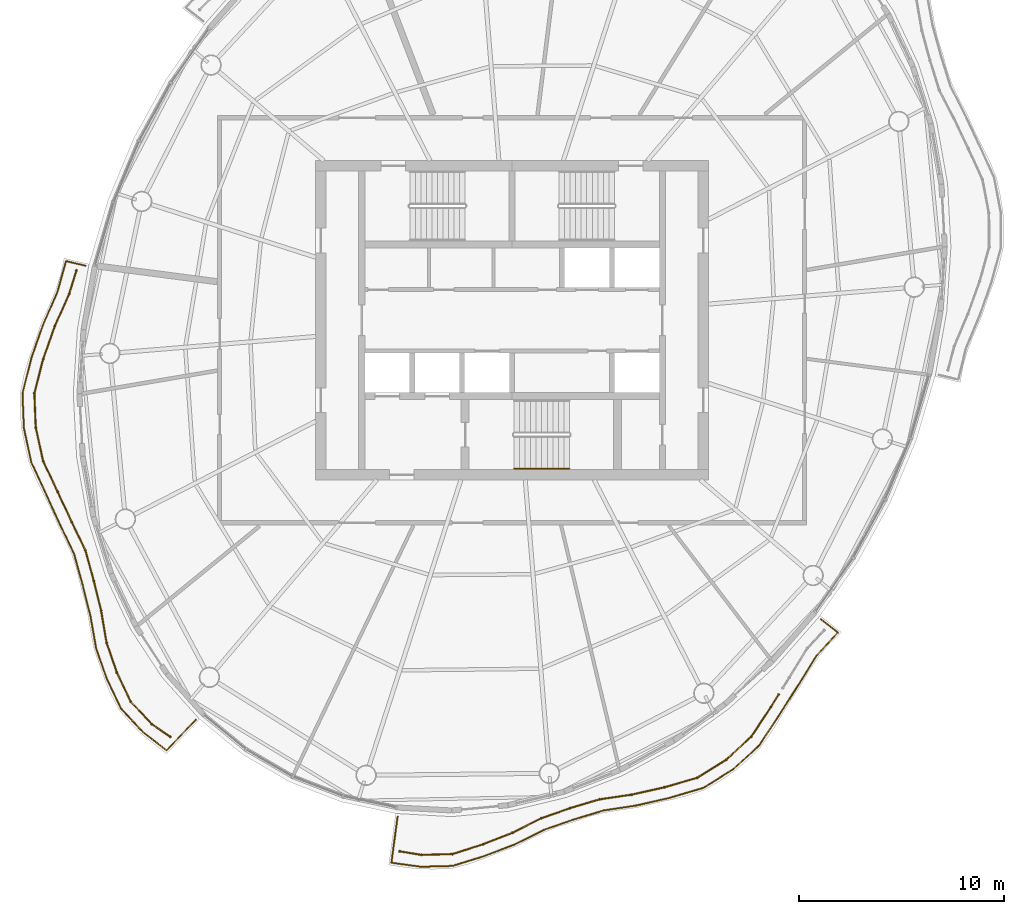
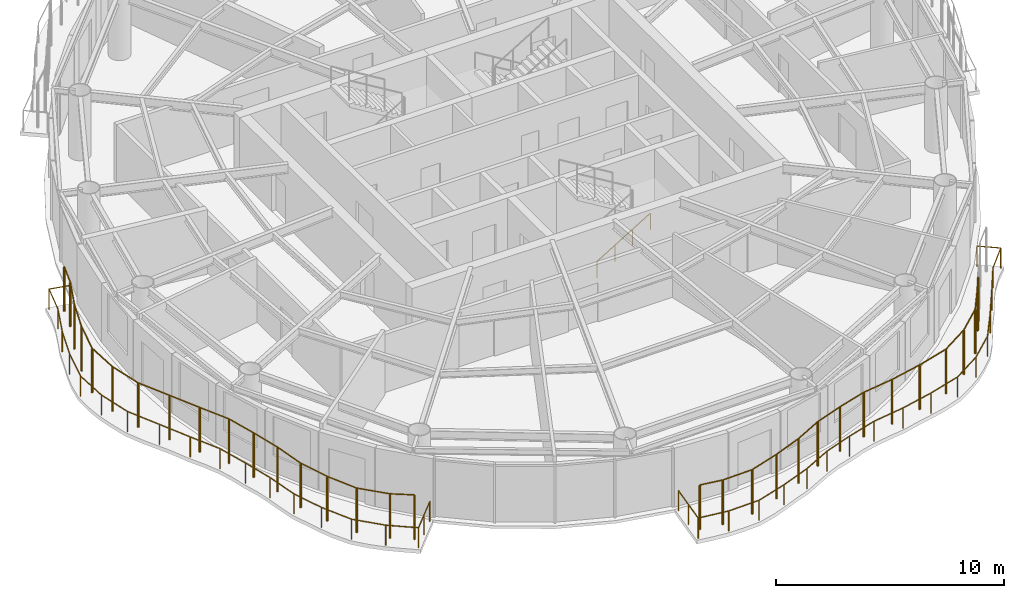
# One storey, part 11 of 13: 5 railings.
"""IFC4 building model written with IfcOpenShell, lengths in metres."""

from ifc_helpers import new_model, si_unit, direction, frame, origin, origin_2d, place, context, subcontext, project, spatial, circle, extrude, material, type_object, element, save


model = new_model("IFC4")

# Units and contexts
model_context = context("Model", 3, precision=1e-05, world=origin(), true_north=direction((0.0, 1.0)))
body_context = subcontext(model_context, "Body", "Model", "MODEL_VIEW")
ifc_project = project(units=[si_unit("LENGTHUNIT", "METRE"), si_unit("AREAUNIT", "SQUARE_METRE"), si_unit("VOLUMEUNIT", "CUBIC_METRE"), si_unit("PLANEANGLEUNIT", "RADIAN"), si_unit("MASSUNIT", "GRAM", prefix="KILO")], contexts=[model_context])

# Site, building, storey
site_placement = place(None, origin())
site = spatial("IfcSite", under=ifc_project, at=site_placement, CompositionType="ELEMENT")
building_placement = place(site_placement, origin())
building = spatial("IfcBuilding", under=site, at=building_placement, Name="Vermilion Reach Broadcast Tower", CompositionType="ELEMENT")
storey_placement = place(building_placement, frame((0.0, 0.0, 290.10009765625)))
storey = spatial("IfcBuildingStorey", under=building, at=storey_placement, Name="L72", CompositionType="ELEMENT", Elevation=290.10009765625)

# Railings
ifc_material_1 = material(Name="Terracotta baguette", Category="masonry")
railing_type_1 = type_object("IfcRailingType", Name="BAGUETTE SCREEN", PredefinedType="USERDEFINED", material=ifc_material_1)
railing_1_placement = place(storey_placement, frame((-27.30029296875, 2.43359375, 0.0)))
element("IfcRailing", 1, at=railing_1_placement, inside=storey, type_object=railing_type_1, Name="Baguette screen L72 group 2", ObjectType="BAGUETTE SCREEN", PredefinedType="USERDEFINED", context=body_context, shape_type="SweptSolid", body=[
    extrude(circle(Radius=0.030029296875, at=origin_2d()), frame((0.0, 0.0, 2.369873046875), z_axis=(-0.29681510805, -0.954934967227, 0.0), x_axis=(0.954934967227, -0.29681510805, 0.0)), (0.0, 0.0, 1.0), 1.2001953125),
    extrude(circle(Radius=0.030029296875, at=origin_2d()), frame((-0.356201171875, -1.14599609375, 2.369873046875), z_axis=(-0.405888700187, -0.913922514801, 0.0), x_axis=(0.913922514801, -0.405888700187, 0.0)), (0.0, 0.0, 1.0), 1.723388671875),
    extrude(circle(Radius=0.030029296875, at=origin_2d()), frame((-1.0556640625, -2.720947265625, 2.369873046875), z_axis=(-0.334593563046, -0.942362535104, 0.0), x_axis=(0.942362535104, -0.334593563046, 0.0)), (0.0, 0.0, 1.0), 1.713134765625),
    extrude(circle(Radius=0.030029296875, at=origin_2d()), frame((-1.62890625, -4.33544921875, 2.369873046875), z_axis=(-0.247391721287, -0.968915546494, 0.0), x_axis=(0.968915546494, -0.247391721287, 0.0)), (0.0, 0.0, 1.0), 1.72607421875),
    extrude(circle(Radius=0.030029296875, at=origin_2d()), frame((-2.055908203125, -6.0078125, 2.369873046875), z_axis=(0.039739643166, -0.999210068385, 0.0), x_axis=(0.999210068385, 0.039739643166, 0.0)), (0.0, 0.0, 1.0), 1.664794921875),
    extrude(circle(Radius=0.030029296875, at=origin_2d()), frame((-1.98974609375, -7.67138671875, 2.369873046875), z_axis=(0.214370018895, -0.976752524951, 0.0), x_axis=(0.976752524951, 0.214370018895, 0.0)), (0.0, 0.0, 1.0), 1.676513671875),
    extrude(circle(Radius=0.030029296875, at=origin_2d()), frame((-1.63037109375, -9.308837890625, 2.369873046875), z_axis=(0.426063493689, -0.904693262573, 0.0), x_axis=(0.904693262573, 0.426063493689, 0.0)), (0.0, 0.0, 1.0), 1.6767578125),
    extrude(circle(Radius=0.030029296875, at=origin_2d()), frame((-0.916015625, -10.82568359375, 2.369873046875), z_axis=(0.422498425925, -0.906363657751, 0.0), x_axis=(0.906363657751, 0.422498425925, 0.0)), (0.0, 0.0, 1.0), 1.623291015625),
    extrude(circle(Radius=0.030029296875, at=origin_2d()), frame((-0.230224609375, -12.296875, 2.369873046875), z_axis=(0.434280880705, -0.900777506743, 0.0), x_axis=(0.900777506743, 0.434280880705, 0.0)), (0.0, 0.0, 1.0), 1.5458984375),
    extrude(circle(Radius=0.030029296875, at=origin_2d()), frame((0.441162109375, -13.689453125, 2.369873046875), z_axis=(0.26474623824, -0.964318116255, 0.0), x_axis=(0.964318116255, 0.26474623824, 0.0)), (0.0, 0.0, 1.0), 1.521484375),
    extrude(circle(Radius=0.030029296875, at=origin_2d()), frame((0.843994140625, -15.15673828125, 2.369873046875), z_axis=(0.239684359985, -0.970850867836, 0.0), x_axis=(0.970850867836, 0.239684359985, 0.0)), (0.0, 0.0, 1.0), 1.511474609375),
    extrude(circle(Radius=0.030029296875, at=origin_2d()), frame((1.206298828125, -16.624267578125, 2.369873046875), z_axis=(0.166757532211, -0.985997933797, 0.0), x_axis=(0.985997933797, 0.166757532211, 0.0)), (0.0, 0.0, 1.0), 1.59423828125),
    extrude(circle(Radius=0.030029296875, at=origin_2d()), frame((1.47216796875, -18.1962890625, 2.369873046875), z_axis=(0.325762394425, -0.945451671096, 0.0), x_axis=(0.945451671096, 0.325762394425, 0.0)), (0.0, 0.0, 1.0), 1.549072265625),
    extrude(circle(Radius=0.030029296875, at=origin_2d()), frame((1.976806640625, -19.660888671875, 2.369873046875), z_axis=(0.429588291466, -0.903024861139, 0.0), x_axis=(0.903024861139, 0.429588291466, 0.0)), (0.0, 0.0, 1.0), 1.564453125),
    extrude(circle(Radius=0.030029296875, at=origin_2d()), frame((2.64892578125, -21.07373046875, 2.369873046875), z_axis=(0.684448094442, -0.729061592744, 0.0), x_axis=(0.729061592744, 0.684448094442, 0.0)), (0.0, 0.0, 1.0), 1.521240234375),
    extrude(circle(Radius=0.030029296875, at=origin_2d()), frame((3.690185546875, -22.182861328125, 2.369873046875), z_axis=(0.825660365212, -0.564167494028, 0.0), x_axis=(0.564167494028, 0.825660365212, 0.0)), (0.0, 0.0, 1.0), 1.0849609375),
    extrude(circle(Radius=0.050048828125, at=origin_2d()), origin(), (0.0, 0.0, 1.0), 2.33984375),
    extrude(circle(Radius=0.050048828125, at=origin_2d()), frame((-0.356201171875, -1.14599609375, 0.0)), (0.0, 0.0, 1.0), 2.33984375),
    extrude(circle(Radius=0.050048828125, at=origin_2d()), frame((-1.0556640625, -2.720947265625, 0.0)), (0.0, 0.0, 1.0), 2.33984375),
    extrude(circle(Radius=0.050048828125, at=origin_2d()), frame((-1.62890625, -4.33544921875, 0.0)), (0.0, 0.0, 1.0), 2.33984375),
    extrude(circle(Radius=0.050048828125, at=origin_2d()), frame((-2.055908203125, -6.0078125, 0.0)), (0.0, 0.0, 1.0), 2.33984375),
    extrude(circle(Radius=0.050048828125, at=origin_2d()), frame((-1.98974609375, -7.67138671875, 0.0)), (0.0, 0.0, 1.0), 2.33984375),
    extrude(circle(Radius=0.050048828125, at=origin_2d()), frame((-1.63037109375, -9.308837890625, 0.0)), (0.0, 0.0, 1.0), 2.33984375),
    extrude(circle(Radius=0.050048828125, at=origin_2d()), frame((-0.916015625, -10.82568359375, 0.0)), (0.0, 0.0, 1.0), 2.33984375),
    extrude(circle(Radius=0.050048828125, at=origin_2d()), frame((-0.230224609375, -12.296875, 0.0)), (0.0, 0.0, 1.0), 2.33984375),
    extrude(circle(Radius=0.050048828125, at=origin_2d()), frame((0.441162109375, -13.689453125, 0.0)), (0.0, 0.0, 1.0), 2.33984375),
    extrude(circle(Radius=0.050048828125, at=origin_2d()), frame((0.843994140625, -15.15673828125, 0.0)), (0.0, 0.0, 1.0), 2.33984375),
    extrude(circle(Radius=0.050048828125, at=origin_2d()), frame((1.206298828125, -16.624267578125, 0.0)), (0.0, 0.0, 1.0), 2.33984375),
    extrude(circle(Radius=0.050048828125, at=origin_2d()), frame((1.47216796875, -18.1962890625, 0.0)), (0.0, 0.0, 1.0), 2.33984375),
    extrude(circle(Radius=0.050048828125, at=origin_2d()), frame((1.976806640625, -19.660888671875, 0.0)), (0.0, 0.0, 1.0), 2.33984375),
    extrude(circle(Radius=0.050048828125, at=origin_2d()), frame((2.64892578125, -21.07373046875, 0.0)), (0.0, 0.0, 1.0), 2.33984375),
    extrude(circle(Radius=0.050048828125, at=origin_2d()), frame((3.690185546875, -22.182861328125, 0.0)), (0.0, 0.0, 1.0), 2.33984375),
    extrude(circle(Radius=0.050048828125, at=origin_2d()), frame((4.5859375, -22.794921875, 0.0)), (0.0, 0.0, 1.0), 2.33984375),
])
railing_2_placement = place(storey_placement, frame((-11.492919921875, -25.96337890625, 0.0)))
element("IfcRailing", 2, at=railing_2_placement, inside=storey, type_object=railing_type_1, Name="Baguette screen L72 group 3 part 1", ObjectType="BAGUETTE SCREEN", PredefinedType="USERDEFINED", context=body_context, shape_type="SweptSolid", body=[
    extrude(circle(Radius=0.030029296875, at=origin_2d()), frame((0.0, 0.0, 2.369873046875), z_axis=(0.986753829313, -0.162224783359, 0.0), x_axis=(0.162224783359, 0.986753829313, 0.0)), (0.0, 0.0, 1.0), 1.074462890625),
    extrude(circle(Radius=0.030029296875, at=origin_2d()), frame((1.060302734375, -0.17431640625, 2.369873046875), z_axis=(0.999626111626, 0.02734295076, 0.0), x_axis=(-0.02734295076, 0.999626111626, 0.0)), (0.0, 0.0, 1.0), 1.517822265625),
    extrude(circle(Radius=0.030029296875, at=origin_2d()), frame((2.57763671875, -0.1328125, 2.369873046875), z_axis=(0.952449286025, 0.304697157108, 0.0), x_axis=(-0.304697157108, 0.952449286025, 0.0)), (0.0, 0.0, 1.0), 1.578369140625),
    extrude(circle(Radius=0.030029296875, at=origin_2d()), frame((4.0810546875, 0.34814453125, 2.369873046875), z_axis=(0.932275133539, 0.361750017809, 0.0), x_axis=(-0.361750017809, 0.932275133539, 0.0)), (0.0, 0.0, 1.0), 1.5400390625),
    extrude(circle(Radius=0.030029296875, at=origin_2d()), frame((5.516845703125, 0.9052734375, 2.369873046875), z_axis=(0.891242507502, 0.453527058534, 0.0), x_axis=(-0.453527058534, 0.891242507502, 0.0)), (0.0, 0.0, 1.0), 1.5595703125),
    extrude(circle(Radius=0.030029296875, at=origin_2d()), frame((6.90673828125, 1.612548828125, 2.369873046875), z_axis=(0.943707109671, 0.330782241297, 0.0), x_axis=(-0.330782241297, 0.943707109671, 0.0)), (0.0, 0.0, 1.0), 1.48583984375),
    extrude(circle(Radius=0.030029296875, at=origin_2d()), frame((8.308837890625, 2.10400390625, 2.369873046875), z_axis=(0.957729028053, 0.287671877015, 0.0), x_axis=(-0.287671877015, 0.957729028053, 0.0)), (0.0, 0.0, 1.0), 1.520751953125),
    extrude(circle(Radius=0.030029296875, at=origin_2d()), frame((9.765380859375, 2.54150390625, 2.369873046875), z_axis=(0.989510518927, 0.144460835292, 0.0), x_axis=(-0.144460835292, 0.989510518927, 0.0)), (0.0, 0.0, 1.0), 1.585205078125),
    extrude(circle(Radius=0.030029296875, at=origin_2d()), frame((11.333984375, 2.7705078125, 2.369873046875), z_axis=(0.975805391936, 0.218640886086, 0.0), x_axis=(-0.218640886086, 0.975805391936, 0.0)), (0.0, 0.0, 1.0), 1.64697265625),
    extrude(circle(Radius=0.030029296875, at=origin_2d()), frame((12.941162109375, 3.130615234375, 2.369873046875), z_axis=(0.960204571171, 0.27929765753, 0.0), x_axis=(-0.27929765753, 0.960204571171, 0.0)), (0.0, 0.0, 1.0), 1.668701171875),
    extrude(circle(Radius=0.030029296875, at=origin_2d()), frame((14.54345703125, 3.5966796875, 2.369873046875), z_axis=(0.848261124455, 0.529578195112, 0.0), x_axis=(-0.529578195112, 0.848261124455, 0.0)), (0.0, 0.0, 1.0), 1.66943359375),
    extrude(circle(Radius=0.030029296875, at=origin_2d()), frame((15.95947265625, 4.480712890625, 2.369873046875), z_axis=(0.737391088863, 0.675466048048, 0.0), x_axis=(-0.675466048048, 0.737391088863, 0.0)), (0.0, 0.0, 1.0), 1.667724609375),
    extrude(circle(Radius=0.030029296875, at=origin_2d()), frame((17.189208984375, 5.607177734375, 2.369873046875), z_axis=(0.550162293805, 0.835057752778, 0.0), x_axis=(-0.835057752778, 0.550162293805, 0.0)), (0.0, 0.0, 1.0), 1.7412109375),
    extrude(circle(Radius=0.030029296875, at=origin_2d()), frame((18.147216796875, 7.061279296875, 2.369873046875), z_axis=(0.529874576144, 0.848076018737, 0.0), x_axis=(-0.848076018737, 0.529874576144, 0.0)), (0.0, 0.0, 1.0), 0.705810546875),
    extrude(circle(Radius=0.050048828125, at=origin_2d()), origin(), (0.0, 0.0, 1.0), 2.33984375),
    extrude(circle(Radius=0.050048828125, at=origin_2d()), frame((1.060302734375, -0.17431640625, 0.0)), (0.0, 0.0, 1.0), 2.33984375),
    extrude(circle(Radius=0.050048828125, at=origin_2d()), frame((2.57763671875, -0.1328125, 0.0)), (0.0, 0.0, 1.0), 2.33984375),
    extrude(circle(Radius=0.050048828125, at=origin_2d()), frame((4.0810546875, 0.34814453125, 0.0)), (0.0, 0.0, 1.0), 2.33984375),
    extrude(circle(Radius=0.050048828125, at=origin_2d()), frame((5.516845703125, 0.9052734375, 0.0)), (0.0, 0.0, 1.0), 2.33984375),
    extrude(circle(Radius=0.050048828125, at=origin_2d()), frame((6.90673828125, 1.612548828125, 0.0)), (0.0, 0.0, 1.0), 2.33984375),
    extrude(circle(Radius=0.050048828125, at=origin_2d()), frame((8.308837890625, 2.10400390625, 0.0)), (0.0, 0.0, 1.0), 2.33984375),
    extrude(circle(Radius=0.050048828125, at=origin_2d()), frame((9.765380859375, 2.54150390625, 0.0)), (0.0, 0.0, 1.0), 2.33984375),
    extrude(circle(Radius=0.050048828125, at=origin_2d()), frame((11.333984375, 2.7705078125, 0.0)), (0.0, 0.0, 1.0), 2.33984375),
    extrude(circle(Radius=0.050048828125, at=origin_2d()), frame((12.941162109375, 3.130615234375, 0.0)), (0.0, 0.0, 1.0), 2.33984375),
    extrude(circle(Radius=0.050048828125, at=origin_2d()), frame((14.54345703125, 3.5966796875, 0.0)), (0.0, 0.0, 1.0), 2.33984375),
    extrude(circle(Radius=0.050048828125, at=origin_2d()), frame((15.95947265625, 4.480712890625, 0.0)), (0.0, 0.0, 1.0), 2.33984375),
    extrude(circle(Radius=0.050048828125, at=origin_2d()), frame((17.189208984375, 5.607177734375, 0.0)), (0.0, 0.0, 1.0), 2.33984375),
    extrude(circle(Radius=0.050048828125, at=origin_2d()), frame((18.147216796875, 7.061279296875, 0.0)), (0.0, 0.0, 1.0), 2.33984375),
    extrude(circle(Radius=0.050048828125, at=origin_2d()), frame((18.521240234375, 7.659912109375, 0.0)), (0.0, 0.0, 1.0), 2.33984375),
])
ifc_material_2 = material(Name="Stainless steel 316 balustrade", Category="steel")
railing_type_2 = type_object("IfcRailingType", Name="Balcony guard 1100", PredefinedType="BALUSTRADE", material=ifc_material_2)
railing_3_placement = place(storey_placement, frame((-26.850830078125, 2.666015625, 0.0)))
element("IfcRailing", 3, at=railing_3_placement, inside=storey, type_object=railing_type_2, Name="Balcony guard L72 group 2", PredefinedType="BALUSTRADE", context=body_context, shape_type="SweptSolid", body=[
    extrude(circle(Radius=0.02490234375, at=origin_2d()), frame((0.0, 0.0, 1.0751953125), z_axis=(-0.973217982798, 0.229884227295, 0.0), x_axis=(-0.229884227295, -0.973217982798, 0.0)), (0.0, 0.0, 1.0), 0.982421875),
    extrude(circle(Radius=0.02490234375, at=origin_2d()), frame((-0.9560546875, 0.225830078125, 1.0751953125), z_axis=(-0.269508013749, -0.962998146688, 0.0), x_axis=(0.962998146688, -0.269508013749, 0.0)), (0.0, 0.0, 1.0), 1.559814453125),
    extrude(circle(Radius=0.02490234375, at=origin_2d()), frame((-1.37646484375, -1.2763671875, 1.0751953125), z_axis=(-0.401344208936, -0.915927303859, 0.0), x_axis=(0.915927303859, -0.401344208936, 0.0)), (0.0, 0.0, 1.0), 1.7548828125),
    extrude(circle(Radius=0.02490234375, at=origin_2d()), frame((-2.080810546875, -2.8837890625, 1.0751953125), z_axis=(-0.330213305001, -0.943906337091, 0.0), x_axis=(0.943906337091, -0.330213305001, 0.0)), (0.0, 0.0, 1.0), 1.744873046875),
    extrude(circle(Radius=0.02490234375, at=origin_2d()), frame((-2.656982421875, -4.53076171875, 1.0751953125), z_axis=(-0.243547724216, -0.969888914273, 0.0), x_axis=(0.969888914273, -0.243547724216, 0.0)), (0.0, 0.0, 1.0), 1.75927734375),
    extrude(circle(Radius=0.02490234375, at=origin_2d()), frame((-3.08544921875, -6.237060546875, 1.0751953125), z_axis=(0.039526049856, -0.999218540352, 0.0), x_axis=(0.999218540352, 0.039526049856, 0.0)), (0.0, 0.0, 1.0), 1.698486328125),
    extrude(circle(Radius=0.02490234375, at=origin_2d()), frame((-3.018310546875, -7.934326171875, 1.0751953125), z_axis=(0.211671602185, -0.977340847826, 0.0), x_axis=(0.977340847826, 0.211671602185, 0.0)), (0.0, 0.0, 1.0), 1.711669921875),
    extrude(circle(Radius=0.02490234375, at=origin_2d()), frame((-2.656005859375, -9.607177734375, 1.0751953125), z_axis=(0.420587091743, -0.907252169057, 0.0), x_axis=(0.907252169057, 0.420587091743, 0.0)), (0.0, 0.0, 1.0), 1.710693359375),
    extrude(circle(Radius=0.02490234375, at=origin_2d()), frame((-1.9365234375, -11.1591796875, 1.0751953125), z_axis=(0.417900750248, -0.908492687335, 0.0), x_axis=(0.908492687335, 0.417900750248, 0.0)), (0.0, 0.0, 1.0), 1.6591796875),
    extrude(circle(Radius=0.02490234375, at=origin_2d()), frame((-1.2431640625, -12.66650390625, 1.0751953125), z_axis=(0.430538261012, -0.902572327188, 0.0), x_axis=(0.902572327188, 0.430538261012, 0.0)), (0.0, 0.0, 1.0), 1.582763671875),
    extrude(circle(Radius=0.02490234375, at=origin_2d()), frame((-0.561767578125, -14.094970703125, 1.0751953125), z_axis=(0.266385095677, -0.963866682068, 0.0), x_axis=(0.963866682068, 0.266385095677, 0.0)), (0.0, 0.0, 1.0), 1.560791015625),
    extrude(circle(Radius=0.02490234375, at=origin_2d()), frame((-0.14599609375, -15.599365234375, 1.0751953125), z_axis=(0.243795344766, -0.969826700947, 0.0), x_axis=(0.969826700947, 0.243795344766, 0.0)), (0.0, 0.0, 1.0), 1.55029296875),
    extrude(circle(Radius=0.02490234375, at=origin_2d()), frame((0.23193359375, -17.102783203125, 1.0751953125), z_axis=(0.174083680601, -0.984730862799, 0.0), x_axis=(0.984730862799, 0.174083680601, 0.0)), (0.0, 0.0, 1.0), 1.6337890625),
    extrude(circle(Radius=0.02490234375, at=origin_2d()), frame((0.516357421875, -18.711669921875, 1.0751953125), z_axis=(0.331027725228, -0.943621028342, 0.0), x_axis=(0.943621028342, 0.331027725228, 0.0)), (0.0, 0.0, 1.0), 1.58935546875),
    extrude(circle(Radius=0.02490234375, at=origin_2d()), frame((1.04248046875, -20.21142578125, 1.0751953125), z_axis=(0.43379735131, -0.901010464976, 0.0), x_axis=(0.901010464976, 0.43379735131, 0.0)), (0.0, 0.0, 1.0), 1.607421875),
    extrude(circle(Radius=0.02490234375, at=origin_2d()), frame((1.73974609375, -21.65966796875, 1.0751953125), z_axis=(0.683146388706, -0.730281460533, 0.0), x_axis=(0.730281460533, 0.683146388706, 0.0)), (0.0, 0.0, 1.0), 1.564208984375),
    extrude(circle(Radius=0.02490234375, at=origin_2d()), frame((2.808349609375, -22.802001953125, 1.0751953125), z_axis=(0.789922259721, -0.613206998979, 0.0), x_axis=(0.613206998979, 0.789922259721, 0.0)), (0.0, 0.0, 1.0), 1.451904296875),
    extrude(circle(Radius=0.02490234375, at=origin_2d()), frame((3.955322265625, -23.6923828125, 1.0751953125), z_axis=(0.691583255541, 0.722296753873, 0.0), x_axis=(-0.722296753873, 0.691583255541, 0.0)), (0.0, 0.0, 1.0), 2.07470703125),
    extrude(circle(Radius=0.02490234375, at=origin_2d()), origin(), (0.0, 0.0, 1.0), 1.050048828125),
    extrude(circle(Radius=0.02490234375, at=origin_2d()), frame((-0.9560546875, 0.225830078125, 0.0)), (0.0, 0.0, 1.0), 1.050048828125),
    extrude(circle(Radius=0.02490234375, at=origin_2d()), frame((-1.37646484375, -1.2763671875, 0.0)), (0.0, 0.0, 1.0), 1.050048828125),
    extrude(circle(Radius=0.02490234375, at=origin_2d()), frame((-2.080810546875, -2.8837890625, 0.0)), (0.0, 0.0, 1.0), 1.050048828125),
    extrude(circle(Radius=0.02490234375, at=origin_2d()), frame((-2.656982421875, -4.53076171875, 0.0)), (0.0, 0.0, 1.0), 1.050048828125),
    extrude(circle(Radius=0.02490234375, at=origin_2d()), frame((-3.08544921875, -6.237060546875, 0.0)), (0.0, 0.0, 1.0), 1.050048828125),
    extrude(circle(Radius=0.02490234375, at=origin_2d()), frame((-3.018310546875, -7.934326171875, 0.0)), (0.0, 0.0, 1.0), 1.050048828125),
    extrude(circle(Radius=0.02490234375, at=origin_2d()), frame((-2.656005859375, -9.607177734375, 0.0)), (0.0, 0.0, 1.0), 1.050048828125),
    extrude(circle(Radius=0.02490234375, at=origin_2d()), frame((-1.9365234375, -11.1591796875, 0.0)), (0.0, 0.0, 1.0), 1.050048828125),
    extrude(circle(Radius=0.02490234375, at=origin_2d()), frame((-1.2431640625, -12.66650390625, 0.0)), (0.0, 0.0, 1.0), 1.050048828125),
    extrude(circle(Radius=0.02490234375, at=origin_2d()), frame((-0.561767578125, -14.094970703125, 0.0)), (0.0, 0.0, 1.0), 1.050048828125),
    extrude(circle(Radius=0.02490234375, at=origin_2d()), frame((-0.14599609375, -15.599365234375, 0.0)), (0.0, 0.0, 1.0), 1.050048828125),
    extrude(circle(Radius=0.02490234375, at=origin_2d()), frame((0.23193359375, -17.102783203125, 0.0)), (0.0, 0.0, 1.0), 1.050048828125),
    extrude(circle(Radius=0.02490234375, at=origin_2d()), frame((0.516357421875, -18.711669921875, 0.0)), (0.0, 0.0, 1.0), 1.050048828125),
    extrude(circle(Radius=0.02490234375, at=origin_2d()), frame((1.04248046875, -20.21142578125, 0.0)), (0.0, 0.0, 1.0), 1.050048828125),
    extrude(circle(Radius=0.02490234375, at=origin_2d()), frame((1.73974609375, -21.65966796875, 0.0)), (0.0, 0.0, 1.0), 1.050048828125),
    extrude(circle(Radius=0.02490234375, at=origin_2d()), frame((2.808349609375, -22.802001953125, 0.0)), (0.0, 0.0, 1.0), 1.050048828125),
    extrude(circle(Radius=0.02490234375, at=origin_2d()), frame((3.955322265625, -23.6923828125, 0.0)), (0.0, 0.0, 1.0), 1.050048828125),
    extrude(circle(Radius=0.02490234375, at=origin_2d()), frame((4.6728515625, -22.943115234375, 0.0)), (0.0, 0.0, 1.0), 1.050048828125),
    extrude(circle(Radius=0.02490234375, at=origin_2d()), frame((5.39013671875, -22.19384765625, 0.0)), (0.0, 0.0, 1.0), 1.050048828125),
])
railing_4_placement = place(storey_placement, frame((-11.5986328125, -24.269775390625, 0.0)))
element("IfcRailing", 4, at=railing_4_placement, inside=storey, type_object=railing_type_2, Name="Balcony guard L72 group 3", PredefinedType="BALUSTRADE", context=body_context, shape_type="SweptSolid", body=[
    extrude(circle(Radius=0.02490234375, at=origin_2d()), frame((0.0, 0.0, 1.0751953125), z_axis=(-0.132382084701, -0.99119876092, 0.0), x_axis=(0.99119876092, -0.132382084701, 0.0)), (0.0, 0.0, 1.0), 2.270263671875),
    extrude(circle(Radius=0.02490234375, at=origin_2d()), frame((-0.300537109375, -2.250244140625, 1.0751953125), z_axis=(0.990723155678, -0.135895654097, 0.0), x_axis=(0.135895654097, 0.990723155678, 0.0)), (0.0, 0.0, 1.0), 1.447998046875),
    extrude(circle(Radius=0.02490234375, at=origin_2d()), frame((1.134033203125, -2.447021484375, 1.0751953125), z_axis=(0.999658773322, 0.026121579588, 0.0), x_axis=(-0.026121579588, 0.999658773322, 0.0)), (0.0, 0.0, 1.0), 1.560791015625),
    extrude(circle(Radius=0.02490234375, at=origin_2d()), frame((2.6943359375, -2.40625, 1.0751953125), z_axis=(0.954509464403, 0.298180620372, 0.0), x_axis=(-0.298180620372, 0.954509464403, 0.0)), (0.0, 0.0, 1.0), 1.620361328125),
    extrude(circle(Radius=0.02490234375, at=origin_2d()), frame((4.240966796875, -1.923095703125, 1.0751953125), z_axis=(0.93450731239, 0.355943932509, 0.0), x_axis=(-0.355943932509, 0.93450731239, 0.0)), (0.0, 0.0, 1.0), 1.580322265625),
    extrude(circle(Radius=0.02490234375, at=origin_2d()), frame((5.7177734375, -1.360595703125, 1.0751953125), z_axis=(0.89430502654, 0.447457841036, 0.0), x_axis=(-0.447457841036, 0.89430502654, 0.0)), (0.0, 0.0, 1.0), 1.59912109375),
    extrude(circle(Radius=0.02490234375, at=origin_2d()), frame((7.14794921875, -0.64501953125, 1.0751953125), z_axis=(0.944271949441, 0.32916634928, 0.0), x_axis=(-0.32916634928, 0.944271949441, 0.0)), (0.0, 0.0, 1.0), 1.52490234375),
    extrude(circle(Radius=0.02490234375, at=origin_2d()), frame((8.587890625, -0.14306640625, 1.0751953125), z_axis=(0.957398764403, 0.288769122172, 0.0), x_axis=(-0.288769122172, 0.957398764403, 0.0)), (0.0, 0.0, 1.0), 1.559814453125),
    extrude(circle(Radius=0.02490234375, at=origin_2d()), frame((10.081298828125, 0.307373046875, 1.0751953125), z_axis=(0.988667469939, 0.150122063285, 0.0), x_axis=(-0.150122063285, 0.988667469939, 0.0)), (0.0, 0.0, 1.0), 1.621337890625),
    extrude(circle(Radius=0.02490234375, at=origin_2d()), frame((11.684326171875, 0.55078125, 1.0751953125), z_axis=(0.974566908571, 0.224096721795, 0.0), x_axis=(-0.224096721795, 0.974566908571, 0.0)), (0.0, 0.0, 1.0), 1.68310546875),
    extrude(circle(Radius=0.02490234375, at=origin_2d()), frame((13.32470703125, 0.927978515625, 1.0751953125), z_axis=(0.95878364904, 0.284137140011, 0.0), x_axis=(-0.284137140011, 0.95878364904, 0.0)), (0.0, 0.0, 1.0), 1.703125),
    extrude(circle(Radius=0.02490234375, at=origin_2d()), frame((14.95751953125, 1.411865234375, 1.0751953125), z_axis=(0.847869540826, 0.530204905428, 0.0), x_axis=(-0.530204905428, 0.847869540826, 0.0)), (0.0, 0.0, 1.0), 1.70458984375),
    extrude(circle(Radius=0.02490234375, at=origin_2d()), frame((16.40283203125, 2.315673828125, 1.0751953125), z_axis=(0.738653213677, 0.674085625069, 0.0), x_axis=(-0.674085625069, 0.738653213677, 0.0)), (0.0, 0.0, 1.0), 1.701416015625),
    extrude(circle(Radius=0.02490234375, at=origin_2d()), frame((17.65966796875, 3.462646484375, 1.0751953125), z_axis=(0.554477864435, 0.832198472633, 0.0), x_axis=(-0.832198472633, 0.554477864435, 0.0)), (0.0, 0.0, 1.0), 1.77392578125),
    extrude(circle(Radius=0.02490234375, at=origin_2d()), frame((18.643310546875, 4.93896484375, 1.0751953125), z_axis=(0.533929217088, 0.845529178172, 0.0), x_axis=(-0.845529178172, 0.533929217088, 0.0)), (0.0, 0.0, 1.0), 1.728515625),
    extrude(circle(Radius=0.02490234375, at=origin_2d()), frame((19.566162109375, 6.400390625, 1.0751953125), z_axis=(0.526731933416, 0.850031452548, 0.0), x_axis=(-0.850031452548, 0.526731933416, 0.0)), (0.0, 0.0, 1.0), 1.71484375),
    extrude(circle(Radius=0.02490234375, at=origin_2d()), frame((20.469482421875, 7.858154296875, 1.0751953125), z_axis=(0.677582912924, 0.735446392413, 0.0), x_axis=(-0.735446392413, 0.677582912924, 0.0)), (0.0, 0.0, 1.0), 1.556884765625),
    extrude(circle(Radius=0.02490234375, at=origin_2d()), frame((21.5244140625, 9.003173828125, 1.0751953125), z_axis=(-0.787135526776, 0.616780076273, 0.0), x_axis=(-0.616780076273, -0.787135526776, 0.0)), (0.0, 0.0, 1.0), 1.046142578125),
    extrude(circle(Radius=0.02490234375, at=origin_2d()), origin(), (0.0, 0.0, 1.0), 1.050048828125),
    extrude(circle(Radius=0.02490234375, at=origin_2d()), frame((-0.150390625, -1.125, 0.0)), (0.0, 0.0, 1.0), 1.050048828125),
    extrude(circle(Radius=0.02490234375, at=origin_2d()), frame((-0.300537109375, -2.250244140625, 0.0)), (0.0, 0.0, 1.0), 1.050048828125),
    extrude(circle(Radius=0.02490234375, at=origin_2d()), frame((1.134033203125, -2.447021484375, 0.0)), (0.0, 0.0, 1.0), 1.050048828125),
    extrude(circle(Radius=0.02490234375, at=origin_2d()), frame((2.6943359375, -2.40625, 0.0)), (0.0, 0.0, 1.0), 1.050048828125),
    extrude(circle(Radius=0.02490234375, at=origin_2d()), frame((4.240966796875, -1.923095703125, 0.0)), (0.0, 0.0, 1.0), 1.050048828125),
    extrude(circle(Radius=0.02490234375, at=origin_2d()), frame((5.7177734375, -1.360595703125, 0.0)), (0.0, 0.0, 1.0), 1.050048828125),
    extrude(circle(Radius=0.02490234375, at=origin_2d()), frame((7.14794921875, -0.64501953125, 0.0)), (0.0, 0.0, 1.0), 1.050048828125),
    extrude(circle(Radius=0.02490234375, at=origin_2d()), frame((8.587890625, -0.14306640625, 0.0)), (0.0, 0.0, 1.0), 1.050048828125),
    extrude(circle(Radius=0.02490234375, at=origin_2d()), frame((10.081298828125, 0.307373046875, 0.0)), (0.0, 0.0, 1.0), 1.050048828125),
    extrude(circle(Radius=0.02490234375, at=origin_2d()), frame((11.684326171875, 0.55078125, 0.0)), (0.0, 0.0, 1.0), 1.050048828125),
    extrude(circle(Radius=0.02490234375, at=origin_2d()), frame((13.32470703125, 0.927978515625, 0.0)), (0.0, 0.0, 1.0), 1.050048828125),
    extrude(circle(Radius=0.02490234375, at=origin_2d()), frame((14.95751953125, 1.411865234375, 0.0)), (0.0, 0.0, 1.0), 1.050048828125),
    extrude(circle(Radius=0.02490234375, at=origin_2d()), frame((16.40283203125, 2.315673828125, 0.0)), (0.0, 0.0, 1.0), 1.050048828125),
    extrude(circle(Radius=0.02490234375, at=origin_2d()), frame((17.65966796875, 3.462646484375, 0.0)), (0.0, 0.0, 1.0), 1.050048828125),
    extrude(circle(Radius=0.02490234375, at=origin_2d()), frame((18.643310546875, 4.93896484375, 0.0)), (0.0, 0.0, 1.0), 1.050048828125),
    extrude(circle(Radius=0.02490234375, at=origin_2d()), frame((19.566162109375, 6.400390625, 0.0)), (0.0, 0.0, 1.0), 1.050048828125),
    extrude(circle(Radius=0.02490234375, at=origin_2d()), frame((20.469482421875, 7.858154296875, 0.0)), (0.0, 0.0, 1.0), 1.050048828125),
    extrude(circle(Radius=0.02490234375, at=origin_2d()), frame((21.5244140625, 9.003173828125, 0.0)), (0.0, 0.0, 1.0), 1.050048828125),
    extrude(circle(Radius=0.02490234375, at=origin_2d()), frame((20.700927734375, 9.6484375, 0.0)), (0.0, 0.0, 1.0), 1.050048828125),
])
ifc_material_3 = material(Name="Stainless steel", Category="steel")
railing_type_3 = type_object("IfcRailingType", Name="Stair handrail", PredefinedType="HANDRAIL", material=ifc_material_3)
railing_5_placement = place(storey_placement, frame((-5.89990234375, -7.25, 0.16357421875)))
element("IfcRailing", 5, at=railing_5_placement, inside=storey, type_object=railing_type_3, Name="L72 ST3 stair handrail 1", PredefinedType="HANDRAIL", context=body_context, shape_type="SweptSolid", body=[
    extrude(circle(Radius=0.02392578125, at=origin_2d()), frame((0.0, 0.0, 0.8759765625), z_axis=(0.855212373127, 0.0, 0.518277721738), x_axis=(0.0, 1.0, 0.0)), (0.0, 0.0, 1.0), 3.156982421875),
    extrude(circle(Radius=0.02099609375, at=origin_2d()), origin(), (0.0, 0.0, 1.0), 0.851806640625),
    extrude(circle(Radius=0.02099609375, at=origin_2d()), frame((0.89990234375, 0.0, 0.54541015625)), (0.0, 0.0, 1.0), 0.851806640625),
    extrude(circle(Radius=0.02099609375, at=origin_2d()), frame((1.800048828125, 0.0, 1.0908203125)), (0.0, 0.0, 1.0), 0.851806640625),
    extrude(circle(Radius=0.02099609375, at=origin_2d()), frame((2.699951171875, 0.0, 1.63623046875)), (0.0, 0.0, 1.0), 0.851806640625),
])

save(model, "model.ifc")
